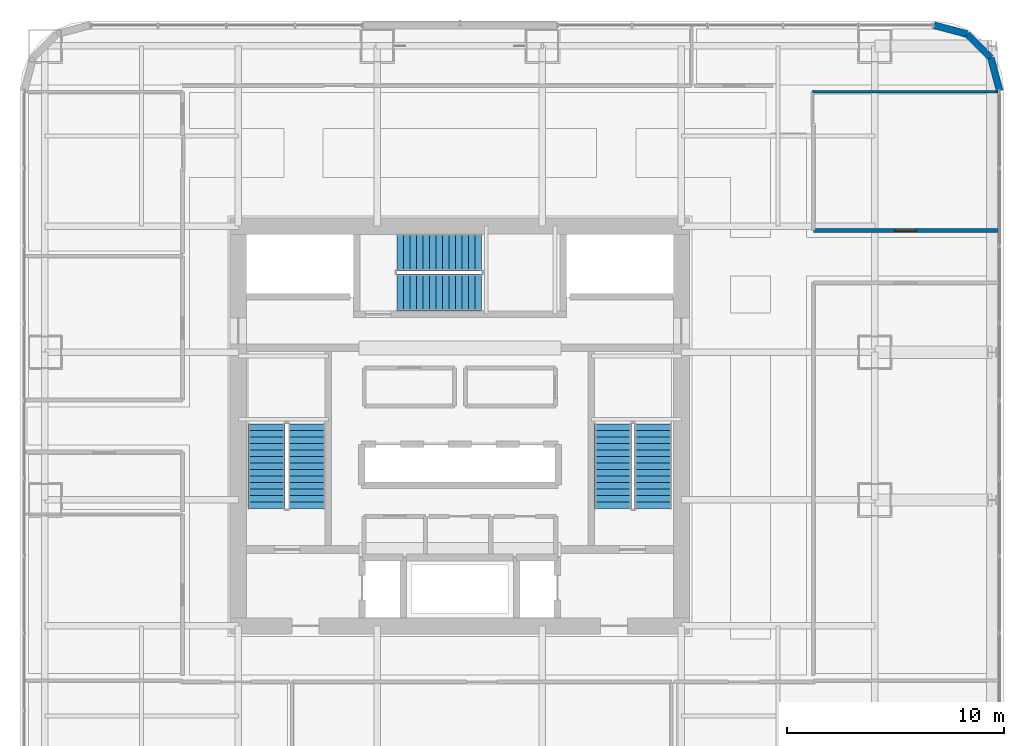
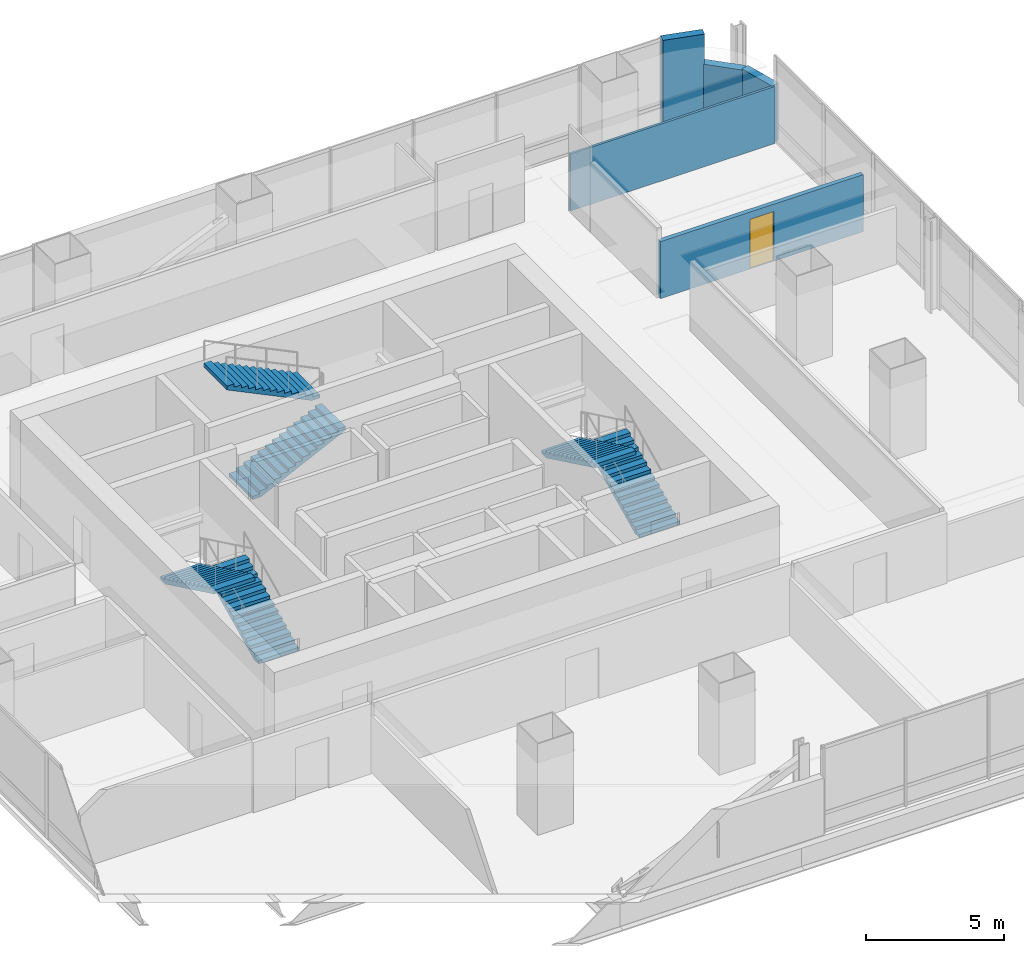
# One storey, part 30 of 40: 6 stair flights, 5 walls, 1 door, 1 opening, 3 elements without a shape of their own.
"""IFC4 building model written with IfcOpenShell, lengths in metres."""

from ifc_helpers import new_model, si_unit, direction, frame, frame_2d, origin, place, context, subcontext, project, spatial, polyline, rectangle, outline, extrude, material, layer, layer_set, type_object, element, fill, aggregate, save


model = new_model("IFC4")

# Units and contexts
model_context = context("Model", 3, precision=1e-05, world=origin(), true_north=direction((0.0, 1.0)))
body_context = subcontext(model_context, "Body", "Model", "MODEL_VIEW")
ifc_project = project(units=[si_unit("LENGTHUNIT", "METRE"), si_unit("AREAUNIT", "SQUARE_METRE"), si_unit("VOLUMEUNIT", "CUBIC_METRE"), si_unit("PLANEANGLEUNIT", "RADIAN"), si_unit("MASSUNIT", "GRAM", prefix="KILO")], contexts=[model_context])

# Site, building, storey
site_placement = place(None, origin())
site = spatial("IfcSite", under=ifc_project, at=site_placement, CompositionType="ELEMENT")
building_placement = place(site_placement, origin())
building = spatial("IfcBuilding", under=site, at=building_placement, Name="Punatoya Terracotta Tower", CompositionType="ELEMENT")
storey_placement = place(building_placement, frame((0.0, 0.0, 76.800048828125)))
storey = spatial("IfcBuildingStorey", under=building, at=storey_placement, Name="L17", CompositionType="ELEMENT", Elevation=76.800048828125)

# Wall, opening, door
ifc_material_1 = material(Name="Gypsum Fireboard + Steel Stud", Category="steel")
ifc_layer_1 = layer(ifc_material_1, 0.179931640625)
ifc_layer_set_1 = layer_set([ifc_layer_1], Name="Gypsum Fireboard + Steel Stud")
wall_type_1 = type_object("IfcWallType", Name="WL-CORR-180", PredefinedType="PARTITIONING", material=ifc_layer_set_1)
wall_1_placement = place(storey_placement, frame((24.77001953125, 9.0, 0.0), z_axis=(0.0, 0.0, 1.0), x_axis=(-1.0, 0.0, 0.0)))
wall_1 = element("IfcWall", 1, at=wall_1_placement, inside=storey, type_object=wall_type_1, Name="L17 Symposium Colloquium Room Partition 36", PredefinedType="PARTITIONING", context=body_context, shape_type="SweptSolid", body=[
    extrude(rectangle(XDim=8.5, YDim=0.179931640625, at=frame_2d((4.25, 0.0))), origin(), (0.0, 0.0, 1.0), 2.52392578125),
])
opening_placement = place(wall_1_placement, frame((3.739990234375, 0.0, 0.0)))
opening = element("IfcOpeningElement", 2, at=opening_placement, cuts=wall_1, Name="Opening MD-01", PredefinedType="OPENING", context=body_context, shape_type="SweptSolid", body=[
    extrude(rectangle(XDim=1.02001953125, YDim=2.199951171875, at=frame_2d((0.510009765625, 1.10009765625))), frame((0.0, 0.099853515625, 0.0), z_axis=(0.0, -1.0, 0.0), x_axis=(1.0, 0.0, 0.0)), (0.0, 0.0, 1.0), 0.199951171875),
])
ifc_material_2 = material(Name="Aluminium + Acoustic Glass Leaf", Category="aluminium")
door_type = type_object("IfcDoorType", Name="DR-MTG-1020", OperationType="NOTDEFINED", PredefinedType="DOOR", material=ifc_material_2)
door_placement = place(opening_placement, origin())
door = element("IfcDoor", 3, at=door_placement, inside=storey, type_object=door_type, Name="L17 Symposium Colloquium Room Door", OperationType="SINGLE_SWING_RIGHT", OverallHeight=2.199951171875, OverallWidth=1.02001953125, PredefinedType="DOOR", context=body_context, shape_type="SweptSolid", body=[
    extrude(rectangle(XDim=1.02001953125, YDim=2.199951171875, at=frame_2d((0.510009765625, 1.10009765625))), frame((0.0, 0.02490234375, 0.0), z_axis=(0.0, -1.0, 0.0), x_axis=(1.0, 0.0, 0.0)), (0.0, 0.0, 1.0), 0.050048828125),
])
fill(opening, door)

# Walls
ifc_material_3 = material(Name="Precast concrete C40/50", Category="concrete")
ifc_layer_2 = layer(ifc_material_3, 0.320068359375)
ifc_layer_set_2 = layer_set([ifc_layer_2], Name="Precast concrete C40/50")
wall_type_2 = type_object("IfcWallType", Name="WL-EXT-320", PredefinedType="SOLIDWALL", material=ifc_layer_set_2)
wall_2_placement = place(storey_placement, frame((24.85009765625, 15.43701171875, 0.0), z_axis=(0.0, 0.0, 1.0), x_axis=(-0.257847112249, 0.966185730957, 0.0)))
element("IfcWall", 4, at=wall_2_placement, inside=storey, type_object=wall_type_2, Name="L17 Rounded Terracotta Corner Pier 06", PredefinedType="SOLIDWALL", context=body_context, shape_type="SweptSolid", body=[
    extrude(rectangle(XDim=1.565185546875, YDim=0.320068359375, at=frame_2d((0.78271484375, 0.0))), origin(), (0.0, 0.0, 1.0), 2.52392578125),
])
wall_3_placement = place(storey_placement, frame((24.446533203125, 16.94921875, 0.0), z_axis=(0.0, 0.0, 1.0), x_axis=(-0.707106781187, 0.707106781187, 0.0)))
element("IfcWall", 5, at=wall_3_placement, inside=storey, type_object=wall_type_2, Name="L17 Rounded Terracotta Corner Pier 07", PredefinedType="SOLIDWALL", context=body_context, shape_type="SweptSolid", body=[
    extrude(rectangle(XDim=1.552001953125, YDim=0.320068359375, at=frame_2d((0.77587890625, 0.0))), origin(), (0.0, 0.0, 1.0), 2.48388671875),
])
wall_4_placement = place(storey_placement, frame((23.34912109375, 18.046630859375, 0.0), z_axis=(0.0, 0.0, 1.0), x_axis=(-0.966224582397, 0.257701486942, 0.0)))
element("IfcWall", 6, at=wall_4_placement, inside=storey, type_object=wall_type_2, Name="L17 Rounded Terracotta Corner Pier 08", PredefinedType="SOLIDWALL", context=body_context, shape_type="SweptSolid", body=[
    extrude(rectangle(XDim=1.565185546875, YDim=0.320068359375, at=frame_2d((0.78271484375, 0.0))), origin(), (0.0, 0.0, 1.0), 3.81005859375),
])
ifc_material_4 = material(Name="Aluminium Framed Acoustic Glass Partition", Category="aluminium")
ifc_layer_3 = layer(ifc_material_4, 0.10009765625)
ifc_layer_set_3 = layer_set([ifc_layer_3], Name="Aluminium Framed Acoustic Glass Partition")
wall_type_3 = type_object("IfcWallType", Name="WL-GLZ-100", PredefinedType="PARTITIONING", material=ifc_layer_set_3)
wall_5_placement = place(storey_placement, frame((16.2099609375, 15.389892578125, 0.0), z_axis=(0.0, 0.0, 1.0), x_axis=(1.0, 0.0, 0.0)))
element("IfcWall", 7, at=wall_5_placement, inside=storey, type_object=wall_type_3, Name="L17 Symposium Colloquium Room Partition 39", PredefinedType="PARTITIONING", context=body_context, shape_type="SweptSolid", body=[
    extrude(rectangle(XDim=8.56005859375, YDim=0.10009765625, at=frame_2d((4.280029296875, 0.0))), origin(), (0.0, 0.0, 1.0), 2.52392578125),
])

# Stair, stair flights
ifc_material_5 = material(Name="Concrete C40/50", Category="concrete")
stair_type_1 = type_object("IfcStairType", Name="STR-CORE-1550", PredefinedType="HALF_TURN_STAIR", material=ifc_material_5)
stair_1_placement = place(storey_placement, origin())
stair_1 = element("IfcStair", 8, at=stair_1_placement, inside=storey, type_object=stair_type_1, Name="L17 Protected Core Exit Stair ST-1", PredefinedType="HALF_TURN_STAIR")
stair_flight_type_1 = type_object("IfcStairFlightType", Name="SFL-CORE-1550", PredefinedType="STRAIGHT", material=ifc_material_5)
stair_flight_1_placement = place(storey_placement, frame((-7.050048828125, -3.800048828125, 0.0), z_axis=(0.0, 0.0, 1.0), x_axis=(0.0, 1.0, 0.0)))
stair_flight_1 = element("IfcStairFlight", 9, at=stair_flight_1_placement, type_object=stair_flight_type_1, Name="ST-1 flight 1", NumberOfRisers=14, NumberOfTreads=13, PredefinedType="STRAIGHT", RiserHeight=0.144642857, TreadLength=0.3, context=body_context, shape_type="SweptSolid", body=[
    extrude(outline(polyline([(0.0, 0.0), (0.0, 0.14453125), (0.300048828125, 0.14453125), (0.300048828125, 0.289306640625), (0.60009765625, 0.289306640625), (0.60009765625, 0.433837890625), (0.89990234375, 0.433837890625), (0.89990234375, 0.57861328125), (1.199951171875, 0.57861328125), (1.199951171875, 0.72314453125), (1.5, 0.72314453125), (1.5, 0.867919921875), (1.800048828125, 0.867919921875), (1.800048828125, 1.012451171875), (2.10009765625, 1.012451171875), (2.10009765625, 1.1572265625), (2.39990234375, 1.1572265625), (2.39990234375, 1.3017578125), (2.699951171875, 1.3017578125), (2.699951171875, 1.446533203125), (3.0, 1.446533203125), (3.0, 1.591064453125), (3.300048828125, 1.591064453125), (3.300048828125, 1.735595703125), (3.60009765625, 1.735595703125), (3.60009765625, 1.88037109375), (3.89990234375, 1.88037109375), (3.89990234375, 2.02490234375), (3.89990234375, 1.7138671875), (0.34521484375, 0.0), (0.0, 0.0)])), frame((0.0, 0.85009765625, 0.0), z_axis=(0.0, -1.0, 0.0), x_axis=(1.0, 0.0, 0.0)), (0.0, 0.0, 1.0), 1.699951171875),
])
stair_flight_2_placement = place(storey_placement, frame((-8.89990234375, 0.10009765625, 2.02490234375), z_axis=(0.0, 0.0, 1.0), x_axis=(0.0, -1.0, 0.0)))
stair_flight_2 = element("IfcStairFlight", 10, at=stair_flight_2_placement, type_object=stair_flight_type_1, Name="ST-1 flight 2", NumberOfRisers=14, NumberOfTreads=13, PredefinedType="STRAIGHT", RiserHeight=0.144642857, TreadLength=0.3, context=body_context, shape_type="SweptSolid", body=[
    extrude(outline(polyline([(0.0, 0.0), (0.0, 0.14453125), (0.300048828125, 0.14453125), (0.300048828125, 0.289306640625), (0.60009765625, 0.289306640625), (0.60009765625, 0.433837890625), (0.89990234375, 0.433837890625), (0.89990234375, 0.57861328125), (1.199951171875, 0.57861328125), (1.199951171875, 0.72314453125), (1.5, 0.72314453125), (1.5, 0.867919921875), (1.800048828125, 0.867919921875), (1.800048828125, 1.012451171875), (2.10009765625, 1.012451171875), (2.10009765625, 1.1572265625), (2.39990234375, 1.1572265625), (2.39990234375, 1.3017578125), (2.699951171875, 1.3017578125), (2.699951171875, 1.446533203125), (3.0, 1.446533203125), (3.0, 1.591064453125), (3.300048828125, 1.591064453125), (3.300048828125, 1.735595703125), (3.60009765625, 1.735595703125), (3.60009765625, 1.88037109375), (3.89990234375, 1.88037109375), (3.89990234375, 2.02490234375), (3.89990234375, 1.7138671875), (0.34521484375, 0.0), (0.0, 0.0)])), frame((0.0, 0.85009765625, 0.0), z_axis=(0.0, -1.0, 0.0), x_axis=(1.0, 0.0, 0.0)), (0.0, 0.0, 1.0), 1.699951171875),
])
aggregate(stair_1, [stair_flight_1, stair_flight_2])

stair_type_2 = type_object("IfcStairType", Name="STR-LOB-1650", PredefinedType="HALF_TURN_STAIR", material=ifc_material_5)
stair_2_placement = place(storey_placement, origin())
stair_2 = element("IfcStair", 11, at=stair_2_placement, inside=storey, type_object=stair_type_2, Name="L17 Protected Core Exit Stair ST-2", PredefinedType="HALF_TURN_STAIR")
stair_flight_type_2 = type_object("IfcStairFlightType", Name="SFL-LOB-1650", PredefinedType="STRAIGHT", material=ifc_material_5)
stair_flight_3_placement = place(storey_placement, frame((8.89990234375, -3.800048828125, 0.0), z_axis=(0.0, 0.0, 1.0), x_axis=(0.0, 1.0, 0.0)))
stair_flight_3 = element("IfcStairFlight", 12, at=stair_flight_3_placement, type_object=stair_flight_type_2, Name="ST-2 flight 1", NumberOfRisers=14, NumberOfTreads=13, PredefinedType="STRAIGHT", RiserHeight=0.144642857, TreadLength=0.3, context=body_context, shape_type="SweptSolid", body=[
    extrude(outline(polyline([(0.0, 0.0), (0.0, 0.14453125), (0.300048828125, 0.14453125), (0.300048828125, 0.289306640625), (0.60009765625, 0.289306640625), (0.60009765625, 0.433837890625), (0.89990234375, 0.433837890625), (0.89990234375, 0.57861328125), (1.199951171875, 0.57861328125), (1.199951171875, 0.72314453125), (1.5, 0.72314453125), (1.5, 0.867919921875), (1.800048828125, 0.867919921875), (1.800048828125, 1.012451171875), (2.10009765625, 1.012451171875), (2.10009765625, 1.1572265625), (2.39990234375, 1.1572265625), (2.39990234375, 1.3017578125), (2.699951171875, 1.3017578125), (2.699951171875, 1.446533203125), (3.0, 1.446533203125), (3.0, 1.591064453125), (3.300048828125, 1.591064453125), (3.300048828125, 1.735595703125), (3.60009765625, 1.735595703125), (3.60009765625, 1.88037109375), (3.89990234375, 1.88037109375), (3.89990234375, 2.02490234375), (3.89990234375, 1.7138671875), (0.34521484375, 0.0), (0.0, 0.0)])), frame((0.0, 0.85009765625, 0.0), z_axis=(0.0, -1.0, 0.0), x_axis=(1.0, 0.0, 0.0)), (0.0, 0.0, 1.0), 1.699951171875),
])
stair_flight_4_placement = place(storey_placement, frame((7.050048828125, 0.10009765625, 2.02490234375), z_axis=(0.0, 0.0, 1.0), x_axis=(0.0, -1.0, 0.0)))
stair_flight_4 = element("IfcStairFlight", 13, at=stair_flight_4_placement, type_object=stair_flight_type_2, Name="ST-2 flight 2", NumberOfRisers=14, NumberOfTreads=13, PredefinedType="STRAIGHT", RiserHeight=0.144642857, TreadLength=0.3, context=body_context, shape_type="SweptSolid", body=[
    extrude(outline(polyline([(0.0, 0.0), (0.0, 0.14453125), (0.300048828125, 0.14453125), (0.300048828125, 0.289306640625), (0.60009765625, 0.289306640625), (0.60009765625, 0.433837890625), (0.89990234375, 0.433837890625), (0.89990234375, 0.57861328125), (1.199951171875, 0.57861328125), (1.199951171875, 0.72314453125), (1.5, 0.72314453125), (1.5, 0.867919921875), (1.800048828125, 0.867919921875), (1.800048828125, 1.012451171875), (2.10009765625, 1.012451171875), (2.10009765625, 1.1572265625), (2.39990234375, 1.1572265625), (2.39990234375, 1.3017578125), (2.699951171875, 1.3017578125), (2.699951171875, 1.446533203125), (3.0, 1.446533203125), (3.0, 1.591064453125), (3.300048828125, 1.591064453125), (3.300048828125, 1.735595703125), (3.60009765625, 1.735595703125), (3.60009765625, 1.88037109375), (3.89990234375, 1.88037109375), (3.89990234375, 2.02490234375), (3.89990234375, 1.7138671875), (0.34521484375, 0.0), (0.0, 0.0)])), frame((0.0, 0.85009765625, 0.0), z_axis=(0.0, -1.0, 0.0), x_axis=(1.0, 0.0, 0.0)), (0.0, 0.0, 1.0), 1.699951171875),
])
aggregate(stair_2, [stair_flight_3, stair_flight_4])

stair_type_3 = type_object("IfcStairType", Name="STR-TER-1450", PredefinedType="HALF_TURN_STAIR", material=ifc_material_5)
stair_3_placement = place(storey_placement, origin())
stair_3 = element("IfcStair", 14, at=stair_3_placement, inside=storey, type_object=stair_type_3, Name="L17 Protected Core Exit Stair ST-3", PredefinedType="HALF_TURN_STAIR")
stair_flight_type_3 = type_object("IfcStairFlightType", Name="SFL-TER-1450", PredefinedType="STRAIGHT", material=ifc_material_5)
stair_flight_5_placement = place(storey_placement, frame((-2.89990234375, 6.14990234375, 0.0), z_axis=(0.0, 0.0, 1.0), x_axis=(1.0, 0.0, 0.0)))
stair_flight_5 = element("IfcStairFlight", 15, at=stair_flight_5_placement, type_object=stair_flight_type_3, Name="ST-3 flight 1", NumberOfRisers=14, NumberOfTreads=13, PredefinedType="STRAIGHT", RiserHeight=0.144642857, TreadLength=0.3, context=body_context, shape_type="SweptSolid", body=[
    extrude(outline(polyline([(0.0, 0.0), (0.0, 0.14453125), (0.300048828125, 0.14453125), (0.300048828125, 0.289306640625), (0.60009765625, 0.289306640625), (0.60009765625, 0.433837890625), (0.89990234375, 0.433837890625), (0.89990234375, 0.57861328125), (1.199951171875, 0.57861328125), (1.199951171875, 0.72314453125), (1.5, 0.72314453125), (1.5, 0.867919921875), (1.800048828125, 0.867919921875), (1.800048828125, 1.012451171875), (2.10009765625, 1.012451171875), (2.10009765625, 1.1572265625), (2.39990234375, 1.1572265625), (2.39990234375, 1.3017578125), (2.699951171875, 1.3017578125), (2.699951171875, 1.446533203125), (3.0, 1.446533203125), (3.0, 1.591064453125), (3.300048828125, 1.591064453125), (3.300048828125, 1.735595703125), (3.60009765625, 1.735595703125), (3.60009765625, 1.88037109375), (3.89990234375, 1.88037109375), (3.89990234375, 2.02490234375), (3.89990234375, 1.7138671875), (0.34521484375, 0.0), (0.0, 0.0)])), frame((0.0, 0.85009765625, 0.0), z_axis=(0.0, -1.0, 0.0), x_axis=(1.0, 0.0, 0.0)), (0.0, 0.0, 1.0), 1.699951171875),
])
stair_flight_6_placement = place(storey_placement, frame((1.0, 8.0, 2.02490234375), z_axis=(0.0, 0.0, 1.0), x_axis=(-1.0, 0.0, 0.0)))
stair_flight_6 = element("IfcStairFlight", 16, at=stair_flight_6_placement, type_object=stair_flight_type_3, Name="ST-3 flight 2", NumberOfRisers=14, NumberOfTreads=13, PredefinedType="STRAIGHT", RiserHeight=0.144642857, TreadLength=0.3, context=body_context, shape_type="SweptSolid", body=[
    extrude(outline(polyline([(0.0, 0.0), (0.0, 0.14453125), (0.300048828125, 0.14453125), (0.300048828125, 0.289306640625), (0.60009765625, 0.289306640625), (0.60009765625, 0.433837890625), (0.89990234375, 0.433837890625), (0.89990234375, 0.57861328125), (1.199951171875, 0.57861328125), (1.199951171875, 0.72314453125), (1.5, 0.72314453125), (1.5, 0.867919921875), (1.800048828125, 0.867919921875), (1.800048828125, 1.012451171875), (2.10009765625, 1.012451171875), (2.10009765625, 1.1572265625), (2.39990234375, 1.1572265625), (2.39990234375, 1.3017578125), (2.699951171875, 1.3017578125), (2.699951171875, 1.446533203125), (3.0, 1.446533203125), (3.0, 1.591064453125), (3.300048828125, 1.591064453125), (3.300048828125, 1.735595703125), (3.60009765625, 1.735595703125), (3.60009765625, 1.88037109375), (3.89990234375, 1.88037109375), (3.89990234375, 2.02490234375), (3.89990234375, 1.7138671875), (0.34521484375, 0.0), (0.0, 0.0)])), frame((0.0, 0.85009765625, 0.0), z_axis=(0.0, -1.0, 0.0), x_axis=(1.0, 0.0, 0.0)), (0.0, 0.0, 1.0), 1.699951171875),
])
aggregate(stair_3, [stair_flight_5, stair_flight_6])

save(model, "model.ifc")
